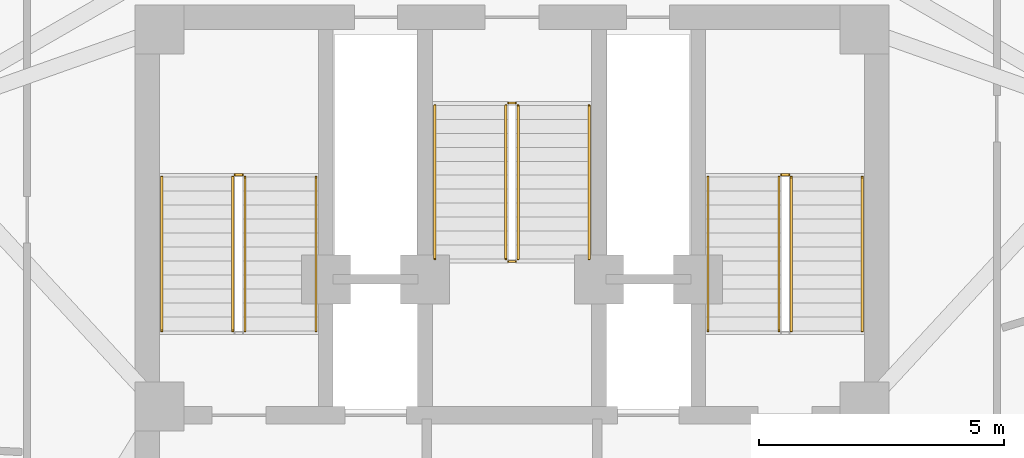
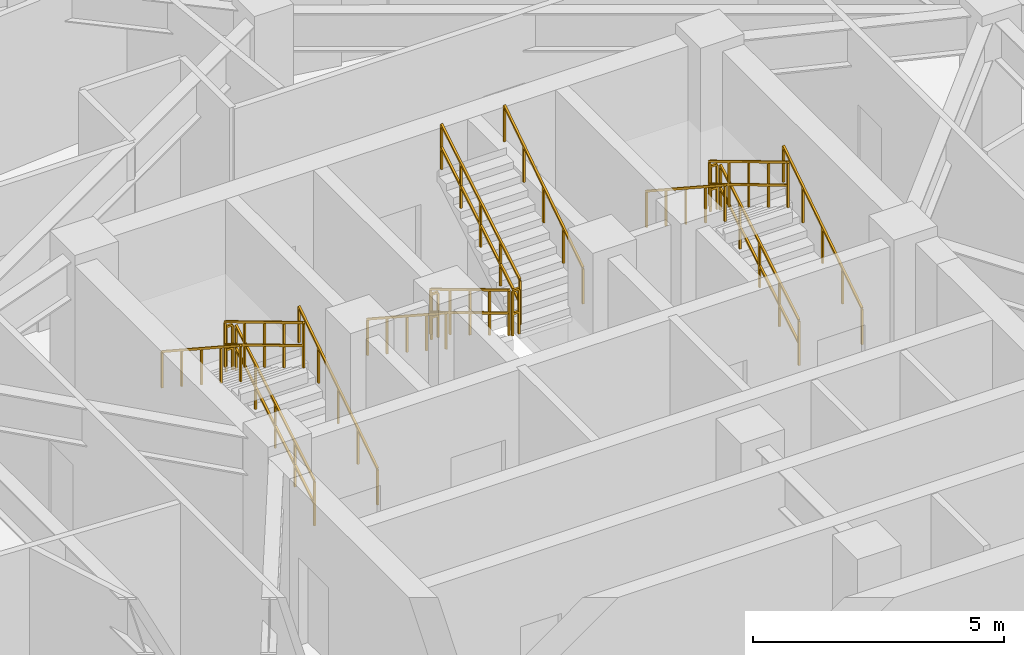
# One storey, part 9 of 10: 16 railings.
"""IFC4 building model written with IfcOpenShell, lengths in metres."""

from ifc_helpers import new_model, si_unit, direction, frame, origin, origin_2d, place, context, subcontext, project, spatial, rectangle, extrude, material, type_object, element, save


model = new_model("IFC4")

# Units and contexts
model_context = context("Model", 3, precision=1e-05, world=origin(), true_north=direction((0.0, 1.0)))
body_context = subcontext(model_context, "Body", "Model", "MODEL_VIEW")
ifc_project = project(units=[si_unit("LENGTHUNIT", "METRE"), si_unit("AREAUNIT", "SQUARE_METRE"), si_unit("VOLUMEUNIT", "CUBIC_METRE"), si_unit("PLANEANGLEUNIT", "RADIAN"), si_unit("MASSUNIT", "GRAM", prefix="KILO")], contexts=[model_context])

# Site, building, storey
site_placement = place(None, origin())
site = spatial("IfcSite", under=ifc_project, at=site_placement, CompositionType="ELEMENT")
building_placement = place(site_placement, origin())
building = spatial("IfcBuilding", under=site, at=building_placement, Name="Apsidion Concourse Tower", CompositionType="ELEMENT")
storey_placement = place(building_placement, frame((0.0, 0.0, 286.0)))
storey = spatial("IfcBuildingStorey", under=building, at=storey_placement, Name="L67", CompositionType="ELEMENT", Elevation=286.0)

# Railings
ifc_material = material(Name="Brushed stainless steel 316", Category="steel")
railing_type_1 = type_object("IfcRailingType", Name="RL-GUARD-1100", PredefinedType="GUARDRAIL", material=ifc_material)
railing_1_placement = place(storey_placement, frame((-5.449951171875, 3.0, 0.1708984375)))
element("IfcRailing", 1, at=railing_1_placement, inside=storey, type_object=railing_type_1, Name="L67 ST1 stair guard 1", PredefinedType="GUARDRAIL", context=body_context, shape_type="SweptSolid", body=[
    extrude(rectangle(XDim=0.048095703125, YDim=0.048095703125, at=origin_2d()), frame((0.0, 0.0, 1.09619140625), z_axis=(0.0, 0.857716804754, 0.514122439544), x_axis=(-1.0, 0.0, 0.0)), (0.0, 0.0, 1.0), 3.655029296875),
    extrude(rectangle(XDim=0.048095703125, YDim=0.048095703125, at=origin_2d()), frame((0.0, 0.0, 0.5361328125), z_axis=(0.0, 0.857716804754, 0.514122439544), x_axis=(-1.0, 0.0, 0.0)), (0.0, 0.0, 1.0), 3.655029296875),
    extrude(rectangle(XDim=0.0419921875, YDim=0.0419921875, at=origin_2d()), origin(), (0.0, 0.0, 1.0), 1.072021484375),
    extrude(rectangle(XDim=0.0419921875, YDim=0.0419921875, at=origin_2d()), frame((0.0, 0.78369140625, 0.4697265625)), (0.0, 0.0, 1.0), 1.072021484375),
    extrude(rectangle(XDim=0.0419921875, YDim=0.0419921875, at=origin_2d()), frame((0.0, 1.5673828125, 0.939453125)), (0.0, 0.0, 1.0), 1.072021484375),
    extrude(rectangle(XDim=0.0419921875, YDim=0.0419921875, at=origin_2d()), frame((0.0, 2.351318359375, 1.409423828125)), (0.0, 0.0, 1.0), 1.072021484375),
    extrude(rectangle(XDim=0.0419921875, YDim=0.0419921875, at=origin_2d()), frame((0.0, 3.135009765625, 1.879150390625)), (0.0, 0.0, 1.0), 1.072021484375),
])
railing_2_placement = place(storey_placement, frame((-5.5, 6.18505859375, 2.050048828125)))
element("IfcRailing", 2, at=railing_2_placement, inside=storey, type_object=railing_type_1, Name="L67 ST1 stair guard 2", PredefinedType="GUARDRAIL", context=body_context, shape_type="SweptSolid", body=[
    extrude(rectangle(XDim=0.048095703125, YDim=0.048095703125, at=origin_2d()), frame((0.0, 0.0, 1.09619140625), z_axis=(-1.0, 0.0, 0.0), x_axis=(0.0, -1.0, 0.0)), (0.0, 0.0, 1.0), 0.14990234375),
    extrude(rectangle(XDim=0.048095703125, YDim=0.048095703125, at=origin_2d()), frame((0.0, 0.0, 0.5361328125), z_axis=(-1.0, 0.0, 0.0), x_axis=(0.0, -1.0, 0.0)), (0.0, 0.0, 1.0), 0.14990234375),
    extrude(rectangle(XDim=0.0419921875, YDim=0.0419921875, at=origin_2d()), origin(), (0.0, 0.0, 1.0), 1.072021484375),
    extrude(rectangle(XDim=0.0419921875, YDim=0.0419921875, at=origin_2d()), frame((-0.14990234375, 0.0, 0.0)), (0.0, 0.0, 1.0), 1.072021484375),
])
railing_3_placement = place(storey_placement, frame((-5.699951171875, 6.135009765625, 2.220947265625)))
element("IfcRailing", 3, at=railing_3_placement, inside=storey, type_object=railing_type_1, Name="L67 ST1 stair guard 3", PredefinedType="GUARDRAIL", context=body_context, shape_type="SweptSolid", body=[
    extrude(rectangle(XDim=0.048095703125, YDim=0.048095703125, at=origin_2d()), frame((0.0, 0.0, 1.09619140625), z_axis=(0.0, -0.857716804754, 0.514122439544), x_axis=(1.0, 0.0, 0.0)), (0.0, 0.0, 1.0), 3.655029296875),
    extrude(rectangle(XDim=0.048095703125, YDim=0.048095703125, at=origin_2d()), frame((0.0, 0.0, 0.5361328125), z_axis=(0.0, -0.857716804754, 0.514122439544), x_axis=(1.0, 0.0, 0.0)), (0.0, 0.0, 1.0), 3.655029296875),
    extrude(rectangle(XDim=0.0419921875, YDim=0.0419921875, at=origin_2d()), origin(), (0.0, 0.0, 1.0), 1.072021484375),
    extrude(rectangle(XDim=0.0419921875, YDim=0.0419921875, at=origin_2d()), frame((0.0, -0.78369140625, 0.4697265625)), (0.0, 0.0, 1.0), 1.072021484375),
    extrude(rectangle(XDim=0.0419921875, YDim=0.0419921875, at=origin_2d()), frame((0.0, -1.5673828125, 0.939453125)), (0.0, 0.0, 1.0), 1.072021484375),
    extrude(rectangle(XDim=0.0419921875, YDim=0.0419921875, at=origin_2d()), frame((0.0, -2.351318359375, 1.409423828125)), (0.0, 0.0, 1.0), 1.072021484375),
    extrude(rectangle(XDim=0.0419921875, YDim=0.0419921875, at=origin_2d()), frame((0.0, -3.135009765625, 1.879150390625)), (0.0, 0.0, 1.0), 1.072021484375),
])
railing_4_placement = place(storey_placement, frame((5.699951171875, 3.0, 0.1708984375)))
element("IfcRailing", 4, at=railing_4_placement, inside=storey, type_object=railing_type_1, Name="L67 ST2 stair guard 1", PredefinedType="GUARDRAIL", context=body_context, shape_type="SweptSolid", body=[
    extrude(rectangle(XDim=0.048095703125, YDim=0.048095703125, at=origin_2d()), frame((0.0, 0.0, 1.09619140625), z_axis=(0.0, 0.857716804754, 0.514122439544), x_axis=(-1.0, 0.0, 0.0)), (0.0, 0.0, 1.0), 3.655029296875),
    extrude(rectangle(XDim=0.048095703125, YDim=0.048095703125, at=origin_2d()), frame((0.0, 0.0, 0.5361328125), z_axis=(0.0, 0.857716804754, 0.514122439544), x_axis=(-1.0, 0.0, 0.0)), (0.0, 0.0, 1.0), 3.655029296875),
    extrude(rectangle(XDim=0.0419921875, YDim=0.0419921875, at=origin_2d()), origin(), (0.0, 0.0, 1.0), 1.072021484375),
    extrude(rectangle(XDim=0.0419921875, YDim=0.0419921875, at=origin_2d()), frame((0.0, 0.78369140625, 0.4697265625)), (0.0, 0.0, 1.0), 1.072021484375),
    extrude(rectangle(XDim=0.0419921875, YDim=0.0419921875, at=origin_2d()), frame((0.0, 1.5673828125, 0.939453125)), (0.0, 0.0, 1.0), 1.072021484375),
    extrude(rectangle(XDim=0.0419921875, YDim=0.0419921875, at=origin_2d()), frame((0.0, 2.351318359375, 1.409423828125)), (0.0, 0.0, 1.0), 1.072021484375),
    extrude(rectangle(XDim=0.0419921875, YDim=0.0419921875, at=origin_2d()), frame((0.0, 3.135009765625, 1.879150390625)), (0.0, 0.0, 1.0), 1.072021484375),
])
railing_5_placement = place(storey_placement, frame((5.64990234375, 6.18505859375, 2.050048828125)))
element("IfcRailing", 5, at=railing_5_placement, inside=storey, type_object=railing_type_1, Name="L67 ST2 stair guard 2", PredefinedType="GUARDRAIL", context=body_context, shape_type="SweptSolid", body=[
    extrude(rectangle(XDim=0.048095703125, YDim=0.048095703125, at=origin_2d()), frame((0.0, 0.0, 1.09619140625), z_axis=(-1.0, 0.0, 0.0), x_axis=(0.0, -1.0, 0.0)), (0.0, 0.0, 1.0), 0.14990234375),
    extrude(rectangle(XDim=0.048095703125, YDim=0.048095703125, at=origin_2d()), frame((0.0, 0.0, 0.5361328125), z_axis=(-1.0, 0.0, 0.0), x_axis=(0.0, -1.0, 0.0)), (0.0, 0.0, 1.0), 0.14990234375),
    extrude(rectangle(XDim=0.0419921875, YDim=0.0419921875, at=origin_2d()), origin(), (0.0, 0.0, 1.0), 1.072021484375),
    extrude(rectangle(XDim=0.0419921875, YDim=0.0419921875, at=origin_2d()), frame((-0.14990234375, 0.0, 0.0)), (0.0, 0.0, 1.0), 1.072021484375),
])
for number, where, name in (
    (6, (5.449951171875, 6.135009765625, 2.220947265625), "L67 ST2 stair guard 3"),
    (7, (-0.125, 7.60009765625, 0.1708984375), "L67 ST3 stair guard 1"),
):
    element("IfcRailing", number, at=place(storey_placement, frame(where)), inside=storey, type_object=railing_type_1, Name=name, PredefinedType="GUARDRAIL", context=body_context, shape_type="SweptSolid", body=[
        extrude(rectangle(XDim=0.048095703125, YDim=0.048095703125, at=origin_2d()), frame((0.0, 0.0, 1.09619140625), z_axis=(0.0, -0.857716804754, 0.514122439544), x_axis=(1.0, 0.0, 0.0)), (0.0, 0.0, 1.0), 3.655029296875),
        extrude(rectangle(XDim=0.048095703125, YDim=0.048095703125, at=origin_2d()), frame((0.0, 0.0, 0.5361328125), z_axis=(0.0, -0.857716804754, 0.514122439544), x_axis=(1.0, 0.0, 0.0)), (0.0, 0.0, 1.0), 3.655029296875),
        extrude(rectangle(XDim=0.0419921875, YDim=0.0419921875, at=origin_2d()), origin(), (0.0, 0.0, 1.0), 1.072021484375),
        extrude(rectangle(XDim=0.0419921875, YDim=0.0419921875, at=origin_2d()), frame((0.0, -0.78369140625, 0.4697265625)), (0.0, 0.0, 1.0), 1.072021484375),
        extrude(rectangle(XDim=0.0419921875, YDim=0.0419921875, at=origin_2d()), frame((0.0, -1.5673828125, 0.939453125)), (0.0, 0.0, 1.0), 1.072021484375),
        extrude(rectangle(XDim=0.0419921875, YDim=0.0419921875, at=origin_2d()), frame((0.0, -2.351318359375, 1.409423828125)), (0.0, 0.0, 1.0), 1.072021484375),
        extrude(rectangle(XDim=0.0419921875, YDim=0.0419921875, at=origin_2d()), frame((0.0, -3.135009765625, 1.879150390625)), (0.0, 0.0, 1.0), 1.072021484375),
    ])
railing_6_placement = place(storey_placement, frame((-0.074951171875, 4.4150390625, 2.050048828125)))
element("IfcRailing", 8, at=railing_6_placement, inside=storey, type_object=railing_type_1, Name="L67 ST3 stair guard 2", PredefinedType="GUARDRAIL", context=body_context, shape_type="SweptSolid", body=[
    extrude(rectangle(XDim=0.048095703125, YDim=0.048095703125, at=origin_2d()), frame((0.0, 0.0, 1.09619140625), z_axis=(1.0, 0.0, 0.0), x_axis=(0.0, 1.0, 0.0)), (0.0, 0.0, 1.0), 0.14990234375),
    extrude(rectangle(XDim=0.048095703125, YDim=0.048095703125, at=origin_2d()), frame((0.0, 0.0, 0.5361328125), z_axis=(1.0, 0.0, 0.0), x_axis=(0.0, 1.0, 0.0)), (0.0, 0.0, 1.0), 0.14990234375),
    extrude(rectangle(XDim=0.0419921875, YDim=0.0419921875, at=origin_2d()), origin(), (0.0, 0.0, 1.0), 1.072021484375),
    extrude(rectangle(XDim=0.0419921875, YDim=0.0419921875, at=origin_2d()), frame((0.14990234375, 0.0, 0.0)), (0.0, 0.0, 1.0), 1.072021484375),
])
railing_7_placement = place(storey_placement, frame((0.125, 4.465087890625, 2.220947265625)))
element("IfcRailing", 9, at=railing_7_placement, inside=storey, type_object=railing_type_1, Name="L67 ST3 stair guard 3", PredefinedType="GUARDRAIL", context=body_context, shape_type="SweptSolid", body=[
    extrude(rectangle(XDim=0.048095703125, YDim=0.048095703125, at=origin_2d()), frame((0.0, 0.0, 1.09619140625), z_axis=(0.0, 0.857716804754, 0.514122439544), x_axis=(-1.0, 0.0, 0.0)), (0.0, 0.0, 1.0), 3.655029296875),
    extrude(rectangle(XDim=0.048095703125, YDim=0.048095703125, at=origin_2d()), frame((0.0, 0.0, 0.5361328125), z_axis=(0.0, 0.857716804754, 0.514122439544), x_axis=(-1.0, 0.0, 0.0)), (0.0, 0.0, 1.0), 3.655029296875),
    extrude(rectangle(XDim=0.0419921875, YDim=0.0419921875, at=origin_2d()), origin(), (0.0, 0.0, 1.0), 1.072021484375),
    extrude(rectangle(XDim=0.0419921875, YDim=0.0419921875, at=origin_2d()), frame((0.0, 0.78369140625, 0.4697265625)), (0.0, 0.0, 1.0), 1.072021484375),
    extrude(rectangle(XDim=0.0419921875, YDim=0.0419921875, at=origin_2d()), frame((0.0, 1.5673828125, 0.939453125)), (0.0, 0.0, 1.0), 1.072021484375),
    extrude(rectangle(XDim=0.0419921875, YDim=0.0419921875, at=origin_2d()), frame((0.0, 2.351318359375, 1.409423828125)), (0.0, 0.0, 1.0), 1.072021484375),
    extrude(rectangle(XDim=0.0419921875, YDim=0.0419921875, at=origin_2d()), frame((0.0, 3.135009765625, 1.879150390625)), (0.0, 0.0, 1.0), 1.072021484375),
])
railing_8_placement = place(storey_placement, frame((-0.074951171875, 7.64990234375, 0.0)))
element("IfcRailing", 10, at=railing_8_placement, inside=storey, type_object=railing_type_1, Name="L67 ST3 stair guard 4", PredefinedType="GUARDRAIL", context=body_context, shape_type="SweptSolid", body=[
    extrude(rectangle(XDim=0.048095703125, YDim=0.048095703125, at=origin_2d()), frame((0.0, 0.0, 1.09619140625), z_axis=(1.0, 0.0, 0.0), x_axis=(0.0, 1.0, 0.0)), (0.0, 0.0, 1.0), 0.14990234375),
    extrude(rectangle(XDim=0.048095703125, YDim=0.048095703125, at=origin_2d()), frame((0.0, 0.0, 0.5361328125), z_axis=(1.0, 0.0, 0.0), x_axis=(0.0, 1.0, 0.0)), (0.0, 0.0, 1.0), 0.14990234375),
    extrude(rectangle(XDim=0.0419921875, YDim=0.0419921875, at=origin_2d()), origin(), (0.0, 0.0, 1.0), 1.072021484375),
    extrude(rectangle(XDim=0.0419921875, YDim=0.0419921875, at=origin_2d()), frame((0.14990234375, 0.0, 0.0)), (0.0, 0.0, 1.0), 1.072021484375),
])
railing_type_2 = type_object("IfcRailingType", Name="RL-HAND-900", PredefinedType="HANDRAIL", material=ifc_material)
railing_9_placement = place(storey_placement, frame((-4.0, 3.0, 0.1708984375)))
element("IfcRailing", 11, at=railing_9_placement, inside=storey, type_object=railing_type_2, Name="L67 ST1 stair handrail 1", PredefinedType="HANDRAIL", context=body_context, shape_type="SweptSolid", body=[
    extrude(rectangle(XDim=0.048095703125, YDim=0.048095703125, at=origin_2d()), frame((0.0, 0.0, 0.8759765625), z_axis=(0.0, 0.836940907821, 0.547293263996), x_axis=(-1.0, 0.0, 0.0)), (0.0, 0.0, 1.0), 3.745849609375),
    extrude(rectangle(XDim=0.0419921875, YDim=0.0419921875, at=origin_2d()), origin(), (0.0, 0.0, 1.0), 0.851806640625),
    extrude(rectangle(XDim=0.0419921875, YDim=0.0419921875, at=origin_2d()), frame((0.0, 0.78369140625, 0.512451171875)), (0.0, 0.0, 1.0), 0.851806640625),
    extrude(rectangle(XDim=0.0419921875, YDim=0.0419921875, at=origin_2d()), frame((0.0, 1.5673828125, 1.02490234375)), (0.0, 0.0, 1.0), 0.851806640625),
    extrude(rectangle(XDim=0.0419921875, YDim=0.0419921875, at=origin_2d()), frame((0.0, 2.351318359375, 1.53759765625)), (0.0, 0.0, 1.0), 0.851806640625),
    extrude(rectangle(XDim=0.0419921875, YDim=0.0419921875, at=origin_2d()), frame((0.0, 3.135009765625, 2.050048828125)), (0.0, 0.0, 1.0), 0.851806640625),
])
railing_10_placement = place(storey_placement, frame((-7.14990234375, 6.135009765625, 2.220947265625)))
element("IfcRailing", 12, at=railing_10_placement, inside=storey, type_object=railing_type_2, Name="L67 ST1 stair handrail 2", PredefinedType="HANDRAIL", context=body_context, shape_type="SweptSolid", body=[
    extrude(rectangle(XDim=0.048095703125, YDim=0.048095703125, at=origin_2d()), frame((0.0, 0.0, 0.8759765625), z_axis=(0.0, -0.836970762213, 0.547247606848), x_axis=(1.0, 0.0, 0.0)), (0.0, 0.0, 1.0), 3.74560546875),
    extrude(rectangle(XDim=0.0419921875, YDim=0.0419921875, at=origin_2d()), origin(), (0.0, 0.0, 1.0), 0.851806640625),
    extrude(rectangle(XDim=0.0419921875, YDim=0.0419921875, at=origin_2d()), frame((0.0, -0.78369140625, 0.512451171875)), (0.0, 0.0, 1.0), 0.851806640625),
    extrude(rectangle(XDim=0.0419921875, YDim=0.0419921875, at=origin_2d()), frame((0.0, -1.5673828125, 1.02490234375)), (0.0, 0.0, 1.0), 0.851806640625),
    extrude(rectangle(XDim=0.0419921875, YDim=0.0419921875, at=origin_2d()), frame((0.0, -2.351318359375, 1.537353515625)), (0.0, 0.0, 1.0), 0.851806640625),
    extrude(rectangle(XDim=0.0419921875, YDim=0.0419921875, at=origin_2d()), frame((0.0, -3.135009765625, 2.0498046875)), (0.0, 0.0, 1.0), 0.851806640625),
])
railing_11_placement = place(storey_placement, frame((7.14990234375, 3.0, 0.1708984375)))
element("IfcRailing", 13, at=railing_11_placement, inside=storey, type_object=railing_type_2, Name="L67 ST2 stair handrail 1", PredefinedType="HANDRAIL", context=body_context, shape_type="SweptSolid", body=[
    extrude(rectangle(XDim=0.048095703125, YDim=0.048095703125, at=origin_2d()), frame((0.0, 0.0, 0.8759765625), z_axis=(0.0, 0.836940907821, 0.547293263996), x_axis=(-1.0, 0.0, 0.0)), (0.0, 0.0, 1.0), 3.745849609375),
    extrude(rectangle(XDim=0.0419921875, YDim=0.0419921875, at=origin_2d()), origin(), (0.0, 0.0, 1.0), 0.851806640625),
    extrude(rectangle(XDim=0.0419921875, YDim=0.0419921875, at=origin_2d()), frame((0.0, 0.78369140625, 0.512451171875)), (0.0, 0.0, 1.0), 0.851806640625),
    extrude(rectangle(XDim=0.0419921875, YDim=0.0419921875, at=origin_2d()), frame((0.0, 1.5673828125, 1.02490234375)), (0.0, 0.0, 1.0), 0.851806640625),
    extrude(rectangle(XDim=0.0419921875, YDim=0.0419921875, at=origin_2d()), frame((0.0, 2.351318359375, 1.53759765625)), (0.0, 0.0, 1.0), 0.851806640625),
    extrude(rectangle(XDim=0.0419921875, YDim=0.0419921875, at=origin_2d()), frame((0.0, 3.135009765625, 2.050048828125)), (0.0, 0.0, 1.0), 0.851806640625),
])
railing_12_placement = place(storey_placement, frame((4.0, 6.135009765625, 2.220947265625)))
element("IfcRailing", 14, at=railing_12_placement, inside=storey, type_object=railing_type_2, Name="L67 ST2 stair handrail 2", PredefinedType="HANDRAIL", context=body_context, shape_type="SweptSolid", body=[
    extrude(rectangle(XDim=0.048095703125, YDim=0.048095703125, at=origin_2d()), frame((0.0, 0.0, 0.8759765625), z_axis=(0.0, -0.836970762213, 0.547247606848), x_axis=(1.0, 0.0, 0.0)), (0.0, 0.0, 1.0), 3.74560546875),
    extrude(rectangle(XDim=0.0419921875, YDim=0.0419921875, at=origin_2d()), origin(), (0.0, 0.0, 1.0), 0.851806640625),
    extrude(rectangle(XDim=0.0419921875, YDim=0.0419921875, at=origin_2d()), frame((0.0, -0.78369140625, 0.512451171875)), (0.0, 0.0, 1.0), 0.851806640625),
    extrude(rectangle(XDim=0.0419921875, YDim=0.0419921875, at=origin_2d()), frame((0.0, -1.5673828125, 1.02490234375)), (0.0, 0.0, 1.0), 0.851806640625),
    extrude(rectangle(XDim=0.0419921875, YDim=0.0419921875, at=origin_2d()), frame((0.0, -2.351318359375, 1.537353515625)), (0.0, 0.0, 1.0), 0.851806640625),
    extrude(rectangle(XDim=0.0419921875, YDim=0.0419921875, at=origin_2d()), frame((0.0, -3.135009765625, 2.0498046875)), (0.0, 0.0, 1.0), 0.851806640625),
])
railing_13_placement = place(storey_placement, frame((-1.574951171875, 7.60009765625, 0.1708984375)))
element("IfcRailing", 15, at=railing_13_placement, inside=storey, type_object=railing_type_2, Name="L67 ST3 stair handrail 1", PredefinedType="HANDRAIL", context=body_context, shape_type="SweptSolid", body=[
    extrude(rectangle(XDim=0.048095703125, YDim=0.048095703125, at=origin_2d()), frame((0.0, 0.0, 0.8759765625), z_axis=(0.0, -0.836940907821, 0.547293263996), x_axis=(1.0, 0.0, 0.0)), (0.0, 0.0, 1.0), 3.745849609375),
    extrude(rectangle(XDim=0.0419921875, YDim=0.0419921875, at=origin_2d()), origin(), (0.0, 0.0, 1.0), 0.851806640625),
    extrude(rectangle(XDim=0.0419921875, YDim=0.0419921875, at=origin_2d()), frame((0.0, -0.78369140625, 0.512451171875)), (0.0, 0.0, 1.0), 0.851806640625),
    extrude(rectangle(XDim=0.0419921875, YDim=0.0419921875, at=origin_2d()), frame((0.0, -1.5673828125, 1.02490234375)), (0.0, 0.0, 1.0), 0.851806640625),
    extrude(rectangle(XDim=0.0419921875, YDim=0.0419921875, at=origin_2d()), frame((0.0, -2.351318359375, 1.53759765625)), (0.0, 0.0, 1.0), 0.851806640625),
    extrude(rectangle(XDim=0.0419921875, YDim=0.0419921875, at=origin_2d()), frame((0.0, -3.135009765625, 2.050048828125)), (0.0, 0.0, 1.0), 0.851806640625),
])
railing_14_placement = place(storey_placement, frame((1.574951171875, 4.465087890625, 2.220947265625)))
element("IfcRailing", 16, at=railing_14_placement, inside=storey, type_object=railing_type_2, Name="L67 ST3 stair handrail 2", PredefinedType="HANDRAIL", context=body_context, shape_type="SweptSolid", body=[
    extrude(rectangle(XDim=0.048095703125, YDim=0.048095703125, at=origin_2d()), frame((0.0, 0.0, 0.8759765625), z_axis=(0.0, 0.836970762213, 0.547247606848), x_axis=(-1.0, 0.0, 0.0)), (0.0, 0.0, 1.0), 3.74560546875),
    extrude(rectangle(XDim=0.0419921875, YDim=0.0419921875, at=origin_2d()), origin(), (0.0, 0.0, 1.0), 0.851806640625),
    extrude(rectangle(XDim=0.0419921875, YDim=0.0419921875, at=origin_2d()), frame((0.0, 0.78369140625, 0.512451171875)), (0.0, 0.0, 1.0), 0.851806640625),
    extrude(rectangle(XDim=0.0419921875, YDim=0.0419921875, at=origin_2d()), frame((0.0, 1.5673828125, 1.02490234375)), (0.0, 0.0, 1.0), 0.851806640625),
    extrude(rectangle(XDim=0.0419921875, YDim=0.0419921875, at=origin_2d()), frame((0.0, 2.351318359375, 1.537353515625)), (0.0, 0.0, 1.0), 0.851806640625),
    extrude(rectangle(XDim=0.0419921875, YDim=0.0419921875, at=origin_2d()), frame((0.0, 3.135009765625, 2.0498046875)), (0.0, 0.0, 1.0), 0.851806640625),
])

save(model, "model.ifc")
